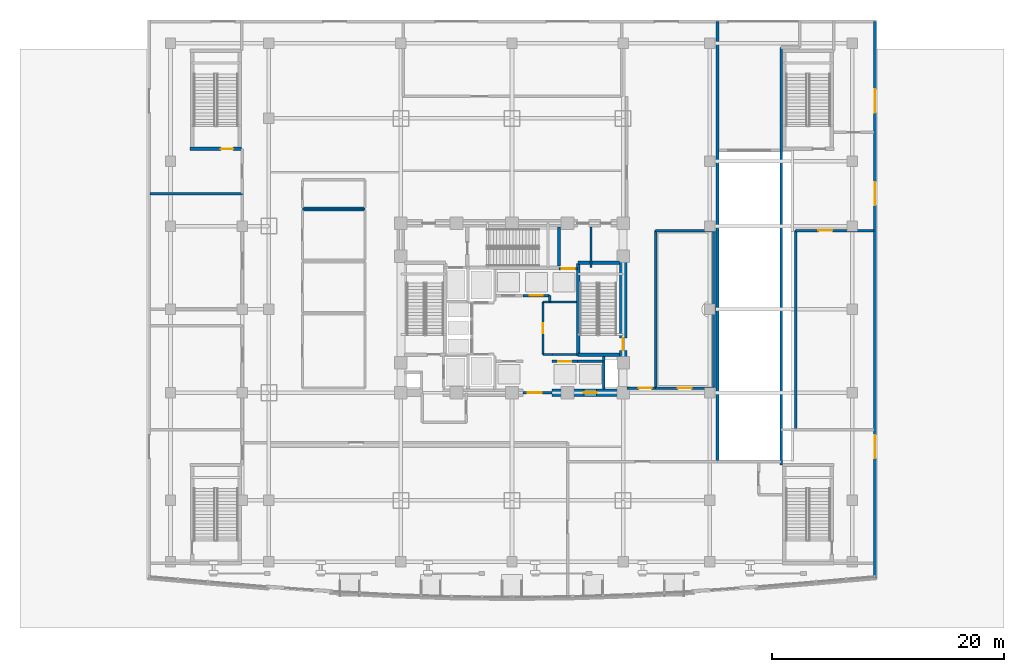
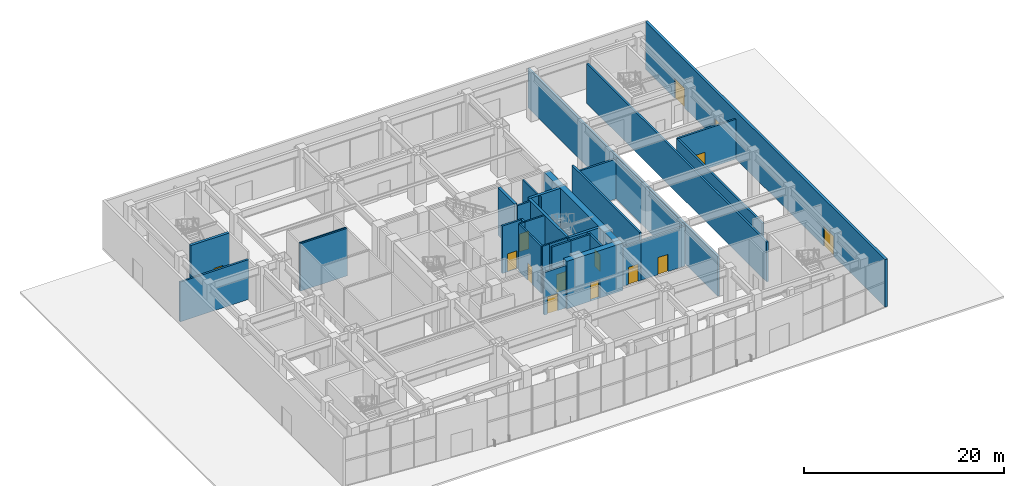
# One storey, part 14 of 23: 33 walls, 14 doors, 14 openings.
"""IFC4 building model written with IfcOpenShell, lengths in metres."""

from ifc_helpers import new_model, si_unit, direction, frame, frame_2d, origin, place, context, subcontext, project, spatial, rectangle, extrude, material, layer, layer_set, type_object, element, fill, save


model = new_model("IFC4")

# Units and contexts
model_context = context("Model", 3, precision=1e-05, world=origin(), true_north=direction((0.0, 1.0)))
body_context = subcontext(model_context, "Body", "Model", "MODEL_VIEW")
ifc_project = project(units=[si_unit("LENGTHUNIT", "METRE"), si_unit("AREAUNIT", "SQUARE_METRE"), si_unit("VOLUMEUNIT", "CUBIC_METRE"), si_unit("PLANEANGLEUNIT", "RADIAN"), si_unit("MASSUNIT", "GRAM", prefix="KILO")], contexts=[model_context])

# Site, building, storey
site_placement = place(None, origin())
site = spatial("IfcSite", under=ifc_project, at=site_placement, CompositionType="ELEMENT")
building_placement = place(site_placement, origin())
building = spatial("IfcBuilding", under=site, at=building_placement, Name="Vantalir Tower", CompositionType="ELEMENT")
storey_placement = place(building_placement, origin())
storey = spatial("IfcBuildingStorey", under=building, at=storey_placement, Name="L00", CompositionType="ELEMENT", Elevation=0.0)

# Wall, opening, door
ifc_material_1 = material(Name="Concrete C60/75", Category="concrete")
ifc_layer_1 = layer(ifc_material_1, 0.64990234375)
ifc_layer_set_1 = layer_set([ifc_layer_1], Name="Concrete C60/75")
wall_type_1 = type_object("IfcWallType", Name="WL-CORE-650", PredefinedType="SHEAR", material=ifc_layer_set_1)
wall_1_placement = place(storey_placement, frame((34.949951171875, 17.800048828125, 0.0), z_axis=(0.0, 0.0, 1.0), x_axis=(1.0, 0.0, 0.0)))
wall_1 = element("IfcWall", 1, at=wall_1_placement, inside=storey, type_object=wall_type_1, Name="L00 Core Shear Wall South-East", PredefinedType="SHEAR", context=body_context, shape_type="SweptSolid", body=[
    extrude(rectangle(XDim=6.47509765625, YDim=0.64990234375, at=frame_2d((3.237548828125, 0.0))), origin(), (0.0, 0.0, 1.0), 5.820068359375),
])
opening_1_placement = place(wall_1_placement, frame((2.760009765625, 0.0, 0.0)))
opening_1 = element("IfcOpeningElement", 2, at=opening_1_placement, cuts=wall_1, Name="Opening LD-PL-X2", PredefinedType="OPENING", context=body_context, shape_type="SweptSolid", body=[
    extrude(rectangle(XDim=1.10009765625, YDim=2.199951171875, at=frame_2d((0.550048828125, 1.10009765625))), frame((0.0, 0.3349609375, 0.0), z_axis=(0.0, -1.0, 0.0), x_axis=(1.0, 0.0, 0.0)), (0.0, 0.0, 1.0), 0.669921875),
])
ifc_material_2 = material(Name="Brushed stainless-steel sliding lift landing door", Category="steel")
door_type_1 = type_object("IfcDoorType", Name="DR-LIFT-LANDING-1100", OperationType="DOUBLE_DOOR_SLIDING", PredefinedType="DOOR", material=ifc_material_2)
door_1_placement = place(opening_1_placement, frame((1.10009765625, 0.0, 0.0), z_axis=(0.0, 0.0, 1.0), x_axis=(-1.0, 0.0, 0.0)))
door_1 = element("IfcDoor", 3, at=door_1_placement, inside=storey, type_object=door_type_1, Name="L00 Express Shuttle Lift Landing Door PL-X2", OperationType="DOUBLE_DOOR_SLIDING", OverallHeight=2.199951171875, OverallWidth=1.10009765625, PredefinedType="DOOR", context=body_context, shape_type="SweptSolid", body=[
    extrude(rectangle(XDim=1.10009765625, YDim=2.199951171875, at=frame_2d((0.550048828125, 1.10009765625))), frame((0.0, 0.02490234375, 0.0), z_axis=(0.0, -1.0, 0.0), x_axis=(1.0, 0.0, 0.0)), (0.0, 0.0, 1.0), 0.050048828125),
])
fill(opening_1, door_1)

wall_2_placement = place(storey_placement, frame((41.10009765625, 18.125, 0.0), z_axis=(0.0, 0.0, 1.0), x_axis=(0.0, 1.0, 0.0)))
wall_2 = element("IfcWall", 4, at=wall_2_placement, inside=storey, type_object=wall_type_1, Name="L00 Core Shear Wall East", PredefinedType="SHEAR", context=body_context, shape_type="SweptSolid", body=[
    extrude(rectangle(XDim=14.0, YDim=0.64990234375, at=frame_2d((7.0, 0.0))), origin(), (0.0, 0.0, 1.0), 5.820068359375),
])
opening_2_placement = place(wall_2_placement, frame((3.3349609375, 0.0, 0.0)))
opening_2 = element("IfcOpeningElement", 5, at=opening_2_placement, cuts=wall_2, Name="Opening D-ST", PredefinedType="OPENING", context=body_context, shape_type="SweptSolid", body=[
    extrude(rectangle(XDim=1.050048828125, YDim=2.10009765625, at=frame_2d((0.52490234375, 1.050048828125))), frame((0.0, 0.3349609375, 0.0), z_axis=(0.0, -1.0, 0.0), x_axis=(1.0, 0.0, 0.0)), (0.0, 0.0, 1.0), 0.669921875),
])
ifc_material_3 = material(Name="Fire-rated steel door leaf", Category="steel")
door_type_2 = type_object("IfcDoorType", Name="DR-FIRE-STAIR-1050", OperationType="NOTDEFINED", PredefinedType="DOOR", material=ifc_material_3)
door_2_placement = place(opening_2_placement, frame((1.050048828125, 0.0, 0.0), z_axis=(0.0, 0.0, 1.0), x_axis=(-1.0, 0.0, 0.0)))
door_2 = element("IfcDoor", 6, at=door_2_placement, inside=storey, type_object=door_type_2, Name="L00 Exit Stair ST2 Fire Door", OperationType="SINGLE_SWING_RIGHT", OverallHeight=2.10009765625, OverallWidth=1.050048828125, PredefinedType="DOOR", context=body_context, shape_type="SweptSolid", body=[
    extrude(rectangle(XDim=1.050048828125, YDim=2.10009765625, at=frame_2d((0.52490234375, 1.050048828125))), frame((0.0, 0.02490234375, 0.0), z_axis=(0.0, -1.0, 0.0), x_axis=(1.0, 0.0, 0.0)), (0.0, 0.0, 1.0), 0.050048828125),
])
fill(opening_2, door_2)

# Wall, openings, doors
ifc_material_4 = material(Name="Precast concrete C40/50 with insulated PVDF rainscreen", Category="concrete")
ifc_layer_2 = layer(ifc_material_4, 0.280029296875)
ifc_layer_set_2 = layer_set([ifc_layer_2], Name="Precast concrete C40/50 with insulated PVDF rainscreen")
wall_type_2 = type_object("IfcWallType", Name="WL-EXT-POD-280", PredefinedType="SOLIDWALL", material=ifc_layer_set_2)
wall_3_placement = place(storey_placement, frame((62.860107421875, 1.800048828125, 0.0), z_axis=(0.0, 0.0, 1.0), x_axis=(0.0, 1.0, 0.0)))
wall_3 = element("IfcWall", 7, at=wall_3_placement, inside=storey, type_object=wall_type_2, Name="L00 Podium East Precast Facade Wall", PredefinedType="SOLIDWALL", context=body_context, shape_type="SweptSolid", body=[
    extrude(rectangle(XDim=48.06005859375, YDim=0.280029296875, at=frame_2d((24.030029296875, 0.0))), origin(), (0.0, 0.0, 1.0), 5.820068359375),
])
opening_3_placement = place(wall_3_placement, frame((10.35009765625, 0.0, 0.0)))
opening_3 = element("IfcOpeningElement", 8, at=opening_3_placement, cuts=wall_3, Name="Opening D-EX01", PredefinedType="OPENING", context=body_context, shape_type="SweptSolid", body=[
    extrude(rectangle(XDim=2.0, YDim=2.39990234375, at=frame_2d((1.0, 1.199951171875))), frame((0.0, 0.14990234375, 0.0), z_axis=(0.0, -1.0, 0.0), x_axis=(1.0, 0.0, 0.0)), (0.0, 0.0, 1.0), 0.300048828125),
])
opening_4_placement = place(wall_3_placement, frame((32.199951171875, 0.0, 0.0)))
opening_4 = element("IfcOpeningElement", 9, at=opening_4_placement, cuts=wall_3, Name="Opening D-EX02", PredefinedType="OPENING", context=body_context, shape_type="SweptSolid", body=[
    extrude(rectangle(XDim=2.0, YDim=2.39990234375, at=frame_2d((1.0, 1.199951171875))), frame((0.0, 0.14990234375, 0.0), z_axis=(0.0, -1.0, 0.0), x_axis=(1.0, 0.0, 0.0)), (0.0, 0.0, 1.0), 0.300048828125),
])
opening_5_placement = place(wall_3_placement, frame((40.199951171875, 0.0, 0.0)))
opening_5 = element("IfcOpeningElement", 10, at=opening_5_placement, cuts=wall_3, Name="Opening D-EX06", PredefinedType="OPENING", context=body_context, shape_type="SweptSolid", body=[
    extrude(rectangle(XDim=2.0, YDim=2.39990234375, at=frame_2d((1.0, 1.199951171875))), frame((0.0, 0.14990234375, 0.0), z_axis=(0.0, -1.0, 0.0), x_axis=(1.0, 0.0, 0.0)), (0.0, 0.0, 1.0), 0.300048828125),
])
ifc_material_5 = material(Name="Anodised aluminium and laminated safety glass", Category="aluminium")
door_type_3 = type_object("IfcDoorType", Name="DR-PERIM-OUT-2000", OperationType="DOUBLE_DOOR_SINGLE_SWING", PredefinedType="DOOR", material=ifc_material_5)
door_3_placement = place(opening_3_placement, frame((2.0, 0.0, 0.0), z_axis=(0.0, 0.0, 1.0), x_axis=(-1.0, 0.0, 0.0)))
door_3 = element("IfcDoor", 11, at=door_3_placement, inside=storey, type_object=door_type_3, Name="Ground Final Exit Door D-EX01", OperationType="DOUBLE_DOOR_SINGLE_SWING", OverallHeight=2.39990234375, OverallWidth=2.0, PredefinedType="DOOR", context=body_context, shape_type="SweptSolid", body=[
    extrude(rectangle(XDim=2.0, YDim=2.39990234375, at=frame_2d((1.0, 1.199951171875))), frame((0.0, 0.02490234375, 0.0), z_axis=(0.0, -1.0, 0.0), x_axis=(1.0, 0.0, 0.0)), (0.0, 0.0, 1.0), 0.050048828125),
])
fill(opening_3, door_3)
door_4_placement = place(opening_4_placement, frame((2.0, 0.0, 0.0), z_axis=(0.0, 0.0, 1.0), x_axis=(-1.0, 0.0, 0.0)))
door_4 = element("IfcDoor", 12, at=door_4_placement, inside=storey, type_object=door_type_3, Name="Ground Final Exit Door D-EX02", OperationType="DOUBLE_DOOR_SINGLE_SWING", OverallHeight=2.39990234375, OverallWidth=2.0, PredefinedType="DOOR", context=body_context, shape_type="SweptSolid", body=[
    extrude(rectangle(XDim=2.0, YDim=2.39990234375, at=frame_2d((1.0, 1.199951171875))), frame((0.0, 0.02490234375, 0.0), z_axis=(0.0, -1.0, 0.0), x_axis=(1.0, 0.0, 0.0)), (0.0, 0.0, 1.0), 0.050048828125),
])
fill(opening_4, door_4)
door_5_placement = place(opening_5_placement, frame((2.0, 0.0, 0.0), z_axis=(0.0, 0.0, 1.0), x_axis=(-1.0, 0.0, 0.0)))
door_5 = element("IfcDoor", 13, at=door_5_placement, inside=storey, type_object=door_type_3, Name="Ground Final Exit Door D-EX06", OperationType="DOUBLE_DOOR_SINGLE_SWING", OverallHeight=2.39990234375, OverallWidth=2.0, PredefinedType="DOOR", context=body_context, shape_type="SweptSolid", body=[
    extrude(rectangle(XDim=2.0, YDim=2.39990234375, at=frame_2d((1.0, 1.199951171875))), frame((0.0, 0.02490234375, 0.0), z_axis=(0.0, -1.0, 0.0), x_axis=(1.0, 0.0, 0.0)), (0.0, 0.0, 1.0), 0.050048828125),
])
fill(opening_5, door_5)

# Wall, opening, door
ifc_material_6 = material(Name="Concrete blockwork with fireboard lining", Category="masonry")
ifc_layer_3 = layer(ifc_material_6, 0.219970703125)
ifc_layer_set_3 = layer_set([ifc_layer_3], Name="Concrete blockwork with fireboard lining")
wall_type_3 = type_object("IfcWallType", Name="WL-FFL-220", PredefinedType="PARTITIONING", material=ifc_layer_set_3)
wall_4_placement = place(storey_placement, frame((32.449951171875, 17.800048828125, 0.0), z_axis=(0.0, 0.0, 1.0), x_axis=(1.0, 0.0, 0.0)))
wall_4 = element("IfcWall", 14, at=wall_4_placement, inside=storey, type_object=wall_type_3, Name="L00 Passenger Lift Lobby South Wall", PredefinedType="PARTITIONING", context=body_context, shape_type="SweptSolid", body=[
    extrude(rectangle(XDim=2.5, YDim=0.219970703125, at=frame_2d((1.25, 0.0))), origin(), (0.0, 0.0, 1.0), 5.177978515625),
])
opening_6_placement = place(wall_4_placement, frame((0.39990234375, 0.0, 0.0)))
opening_6 = element("IfcOpeningElement", 15, at=opening_6_placement, cuts=wall_4, Name="Opening D-STE", PredefinedType="OPENING", context=body_context, shape_type="SweptSolid", body=[
    extrude(rectangle(XDim=1.199951171875, YDim=2.10009765625, at=frame_2d((0.60009765625, 1.050048828125))), frame((0.0, 0.119873046875, 0.0), z_axis=(0.0, -1.0, 0.0), x_axis=(1.0, 0.0, 0.0)), (0.0, 0.0, 1.0), 0.239990234375),
])
ifc_material_7 = material(Name="Solid-core teak veneer suite entrance door", Category="wood")
door_type_4 = type_object("IfcDoorType", Name="DR-SUITE-ENTRY-1200", OperationType="NOTDEFINED", PredefinedType="DOOR", material=ifc_material_7)
door_6_placement = place(opening_6_placement, frame((1.199951171875, 0.0, 0.0), z_axis=(0.0, 0.0, 1.0), x_axis=(-1.0, 0.0, 0.0)))
door_6 = element("IfcDoor", 16, at=door_6_placement, inside=storey, type_object=door_type_4, Name="L00 Passenger Lift Lobby Concourse Door", OperationType="SINGLE_SWING_LEFT", OverallHeight=2.10009765625, OverallWidth=1.199951171875, PredefinedType="DOOR", context=body_context, shape_type="SweptSolid", body=[
    extrude(rectangle(XDim=1.199951171875, YDim=2.10009765625, at=frame_2d((0.60009765625, 1.050048828125))), frame((0.0, 0.02490234375, 0.0), z_axis=(0.0, -1.0, 0.0), x_axis=(1.0, 0.0, 0.0)), (0.0, 0.0, 1.0), 0.050048828125),
])
fill(opening_6, door_6)

# Walls
wall_5_placement = place(storey_placement, frame((39.419921875, 18.125, 0.0), z_axis=(0.0, 0.0, 1.0), x_axis=(0.0, 1.0, 0.0)))
element("IfcWall", 17, at=wall_5_placement, inside=storey, type_object=wall_type_3, Name="L00 East MEP Riser Wall W", PredefinedType="PARTITIONING", context=body_context, shape_type="SweptSolid", body=[
    extrude(rectangle(XDim=2.824951171875, YDim=0.219970703125, at=frame_2d((1.41259765625, 0.0))), origin(), (0.0, 0.0, 1.0), 5.800048828125),
])
wall_6_placement = place(storey_placement, frame((37.139892578125, 20.510009765625, 0.0), z_axis=(0.0, 0.0, 1.0), x_axis=(1.0, 0.0, 0.0)))
element("IfcWall", 18, at=wall_6_placement, inside=storey, type_object=wall_type_3, Name="L00 Lift PL-X2 Shaft Rear Wall", PredefinedType="PARTITIONING", context=body_context, shape_type="SweptSolid", body=[
    extrude(rectangle(XDim=2.239990234375, YDim=0.219970703125, at=frame_2d((1.1201171875, 0.0))), origin(), (0.0, 0.0, 1.0), 5.800048828125),
])

# Wall, opening, door
wall_7_placement = place(storey_placement, frame((34.93994140625, 20.510009765625, 0.0), z_axis=(0.0, 0.0, 1.0), x_axis=(1.0, 0.0, 0.0)))
wall_7 = element("IfcWall", 19, at=wall_7_placement, inside=storey, type_object=wall_type_3, Name="L00 Lift PL-X3 Shaft Front Wall", PredefinedType="PARTITIONING", context=body_context, shape_type="SweptSolid", body=[
    extrude(rectangle(XDim=2.239990234375, YDim=0.219970703125, at=frame_2d((1.1201171875, 0.0))), origin(), (0.0, 0.0, 1.0), 5.800048828125),
])
opening_7_placement = place(wall_7_placement, frame((0.570068359375, 0.0, 0.0)))
opening_7 = element("IfcOpeningElement", 20, at=opening_7_placement, cuts=wall_7, Name="Opening LD-PL-X3", PredefinedType="OPENING", context=body_context, shape_type="SweptSolid", body=[
    extrude(rectangle(XDim=1.10009765625, YDim=2.199951171875, at=frame_2d((0.550048828125, 1.10009765625))), frame((0.0, 0.119873046875, 0.0), z_axis=(0.0, -1.0, 0.0), x_axis=(1.0, 0.0, 0.0)), (0.0, 0.0, 1.0), 0.239990234375),
])
door_7_placement = place(opening_7_placement, origin())
door_7 = element("IfcDoor", 21, at=door_7_placement, inside=storey, type_object=door_type_1, Name="L00 Lift Landing Door PL-X3", OperationType="DOUBLE_DOOR_SLIDING", OverallHeight=2.199951171875, OverallWidth=1.10009765625, PredefinedType="DOOR", context=body_context, shape_type="SweptSolid", body=[
    extrude(rectangle(XDim=1.10009765625, YDim=2.199951171875, at=frame_2d((0.550048828125, 1.10009765625))), frame((0.0, 0.02490234375, 0.0), z_axis=(0.0, -1.0, 0.0), x_axis=(1.0, 0.0, 0.0)), (0.0, 0.0, 1.0), 0.050048828125),
])
fill(opening_7, door_7)

wall_8_placement = place(storey_placement, frame((32.43994140625, 26.18994140625, 0.0), z_axis=(0.0, 0.0, 1.0), x_axis=(1.0, 0.0, 0.0)))
wall_8 = element("IfcWall", 22, at=wall_8_placement, inside=storey, type_object=wall_type_3, Name="L00 Lift PL-H2 Shaft Front Wall", PredefinedType="PARTITIONING", context=body_context, shape_type="SweptSolid", body=[
    extrude(rectangle(XDim=2.320068359375, YDim=0.219970703125, at=frame_2d((1.16015625, 0.0))), origin(), (0.0, 0.0, 1.0), 5.800048828125),
])
opening_8_placement = place(wall_8_placement, frame((0.610107421875, 0.0, 0.0)))
opening_8 = element("IfcOpeningElement", 23, at=opening_8_placement, cuts=wall_8, Name="Opening LD-PL-H2", PredefinedType="OPENING", context=body_context, shape_type="SweptSolid", body=[
    extrude(rectangle(XDim=1.10009765625, YDim=2.199951171875, at=frame_2d((0.550048828125, 1.10009765625))), frame((0.0, 0.119873046875, 0.0), z_axis=(0.0, -1.0, 0.0), x_axis=(1.0, 0.0, 0.0)), (0.0, 0.0, 1.0), 0.239990234375),
])
door_8_placement = place(opening_8_placement, frame((1.10009765625, 0.0, 0.0), z_axis=(0.0, 0.0, 1.0), x_axis=(-1.0, 0.0, 0.0)))
door_8 = element("IfcDoor", 24, at=door_8_placement, inside=storey, type_object=door_type_1, Name="L00 Lift Landing Door PL-H2", OperationType="DOUBLE_DOOR_SLIDING", OverallHeight=2.199951171875, OverallWidth=1.10009765625, PredefinedType="DOOR", context=body_context, shape_type="SweptSolid", body=[
    extrude(rectangle(XDim=1.10009765625, YDim=2.199951171875, at=frame_2d((0.550048828125, 1.10009765625))), frame((0.0, 0.02490234375, 0.0), z_axis=(0.0, -1.0, 0.0), x_axis=(1.0, 0.0, 0.0)), (0.0, 0.0, 1.0), 0.050048828125),
])
fill(opening_8, door_8)

wall_9_placement = place(storey_placement, frame((35.56005859375, 28.510009765625, 0.0), z_axis=(0.0, 0.0, 1.0), x_axis=(1.0, 0.0, 0.0)))
wall_9 = element("IfcWall", 25, at=wall_9_placement, inside=storey, type_object=wall_type_3, Name="L00 Lift PL-H3 Shaft Front Wall", PredefinedType="PARTITIONING", context=body_context, shape_type="SweptSolid", body=[
    extrude(rectangle(XDim=1.599853515625, YDim=0.219970703125, at=frame_2d((0.7998046875, 0.0))), origin(), (0.0, 0.0, 1.0), 5.800048828125),
])
opening_9_placement = place(wall_9_placement, frame((0.25, 0.0, 0.0)))
opening_9 = element("IfcOpeningElement", 26, at=opening_9_placement, cuts=wall_9, Name="Opening LD-PL-H3", PredefinedType="OPENING", context=body_context, shape_type="SweptSolid", body=[
    extrude(rectangle(XDim=1.10009765625, YDim=2.199951171875, at=frame_2d((0.550048828125, 1.10009765625))), frame((0.0, 0.119873046875, 0.0), z_axis=(0.0, -1.0, 0.0), x_axis=(1.0, 0.0, 0.0)), (0.0, 0.0, 1.0), 0.239990234375),
])
door_9_placement = place(opening_9_placement, origin())
door_9 = element("IfcDoor", 27, at=door_9_placement, inside=storey, type_object=door_type_1, Name="L00 Lift Landing Door PL-H3", OperationType="DOUBLE_DOOR_SLIDING", OverallHeight=2.199951171875, OverallWidth=1.10009765625, PredefinedType="DOOR", context=body_context, shape_type="SweptSolid", body=[
    extrude(rectangle(XDim=1.10009765625, YDim=2.199951171875, at=frame_2d((0.550048828125, 1.10009765625))), frame((0.0, 0.02490234375, 0.0), z_axis=(0.0, -1.0, 0.0), x_axis=(1.0, 0.0, 0.0)), (0.0, 0.0, 1.0), 0.050048828125),
])
fill(opening_9, door_9)

# Walls
wall_10_placement = place(storey_placement, frame((34.760009765625, 25.64990234375, 0.0), z_axis=(0.0, 0.0, 1.0), x_axis=(0.0, 1.0, 0.0)))
element("IfcWall", 28, at=wall_10_placement, inside=storey, type_object=wall_type_3, Name="L00 High-Rise Shaft Shoulder Wall", PredefinedType="PARTITIONING", context=body_context, shape_type="SweptSolid", body=[
    extrude(rectangle(XDim=0.570068359375, YDim=0.219970703125, at=frame_2d((0.28515625, 0.0))), origin(), (0.0, 0.0, 1.0), 5.800048828125),
])
wall_11_placement = place(storey_placement, frame((49.25, 11.85009765625, 0.0), z_axis=(0.0, 0.0, 1.0), x_axis=(0.0, 1.0, 0.0)))
element("IfcWall", 29, at=wall_11_placement, inside=storey, type_object=wall_type_3, Name="L00 Car Park Ramp Enclosure West", PredefinedType="PARTITIONING", context=body_context, shape_type="SweptSolid", body=[
    extrude(rectangle(XDim=38.0, YDim=0.219970703125, at=frame_2d((19.0, 0.0))), origin(), (0.0, 0.0, 1.0), 4.867919921875),
])
wall_12_placement = place(storey_placement, frame((54.75, 11.56005859375, 0.0), z_axis=(0.0, 0.0, 1.0), x_axis=(0.0, 1.0, 0.0)))
element("IfcWall", 30, at=wall_12_placement, inside=storey, type_object=wall_type_3, Name="L00 Car Park Ramp Enclosure East", PredefinedType="PARTITIONING", context=body_context, shape_type="SweptSolid", body=[
    extrude(rectangle(XDim=36.06494140625, YDim=0.219970703125, at=frame_2d((18.032470703125, 0.0))), origin(), (0.0, 0.0, 1.0), 4.867919921875),
])
wall_13_placement = place(storey_placement, frame((0.25, 35.0, 0.0), z_axis=(0.0, 0.0, 1.0), x_axis=(1.0, 0.0, 0.0)))
element("IfcWall", 31, at=wall_13_placement, inside=storey, type_object=wall_type_3, Name="L00 Commercial Main Production Kitchen North Wall", PredefinedType="PARTITIONING", context=body_context, shape_type="SweptSolid", body=[
    extrude(rectangle(XDim=7.949951171875, YDim=0.219970703125, at=frame_2d((3.97509765625, 0.0))), origin(), (0.0, 0.0, 1.0), 4.867919921875),
])

# Wall, opening, door
wall_14_placement = place(storey_placement, frame((56.0, 31.800048828125, 0.0), z_axis=(0.0, 0.0, 1.0), x_axis=(1.0, 0.0, 0.0)))
wall_14 = element("IfcWall", 32, at=wall_14_placement, inside=storey, type_object=wall_type_3, Name="L00 Waterfront Brasserie North Wall", PredefinedType="PARTITIONING", context=body_context, shape_type="SweptSolid", body=[
    extrude(rectangle(XDim=6.75, YDim=0.219970703125, at=frame_2d((3.375, 0.0))), origin(), (0.0, 0.0, 1.0), 4.867919921875),
])
opening_10_placement = place(wall_14_placement, frame((1.965087890625, 0.0, 0.0)))
opening_10 = element("IfcOpeningElement", 33, at=opening_10_placement, cuts=wall_14, Name="Opening D-STE", PredefinedType="OPENING", context=body_context, shape_type="SweptSolid", body=[
    extrude(rectangle(XDim=1.199951171875, YDim=2.10009765625, at=frame_2d((0.60009765625, 1.050048828125))), frame((0.0, 0.119873046875, 0.0), z_axis=(0.0, -1.0, 0.0), x_axis=(1.0, 0.0, 0.0)), (0.0, 0.0, 1.0), 0.239990234375),
])
door_10_placement = place(opening_10_placement, frame((1.199951171875, 0.0, 0.0), z_axis=(0.0, 0.0, 1.0), x_axis=(-1.0, 0.0, 0.0)))
door_10 = element("IfcDoor", 34, at=door_10_placement, inside=storey, type_object=door_type_4, Name="L00 Waterfront Brasserie Door", OperationType="SINGLE_SWING_LEFT", OverallHeight=2.10009765625, OverallWidth=1.199951171875, PredefinedType="DOOR", context=body_context, shape_type="SweptSolid", body=[
    extrude(rectangle(XDim=1.199951171875, YDim=2.10009765625, at=frame_2d((0.60009765625, 1.050048828125))), frame((0.0, 0.02490234375, 0.0), z_axis=(0.0, -1.0, 0.0), x_axis=(1.0, 0.0, 0.0)), (0.0, 0.0, 1.0), 0.050048828125),
])
fill(opening_10, door_10)

# Wall
wall_15_placement = place(storey_placement, frame((56.0, 14.60009765625, 0.0), z_axis=(0.0, 0.0, 1.0), x_axis=(0.0, 1.0, 0.0)))
element("IfcWall", 35, at=wall_15_placement, inside=storey, type_object=wall_type_3, Name="L00 Waterfront Brasserie West Wall", PredefinedType="PARTITIONING", context=body_context, shape_type="SweptSolid", body=[
    extrude(rectangle(XDim=17.199951171875, YDim=0.219970703125, at=frame_2d((8.60009765625, 0.0))), origin(), (0.0, 0.0, 1.0), 4.867919921875),
])

# Wall, opening, door
wall_16_placement = place(storey_placement, frame((43.89990234375, 18.199951171875, 0.0), z_axis=(0.0, 0.0, 1.0), x_axis=(1.0, 0.0, 0.0)))
wall_16 = element("IfcWall", 36, at=wall_16_placement, inside=storey, type_object=wall_type_3, Name="L00 Riverfront Tea Salon South Wall", PredefinedType="PARTITIONING", context=body_context, shape_type="SweptSolid", body=[
    extrude(rectangle(XDim=5.050048828125, YDim=0.219970703125, at=frame_2d((2.52490234375, 0.0))), origin(), (0.0, 0.0, 1.0), 4.867919921875),
])
opening_11_placement = place(wall_16_placement, frame((1.925048828125, 0.0, 0.0)))
opening_11 = element("IfcOpeningElement", 37, at=opening_11_placement, cuts=wall_16, Name="Opening D-STE", PredefinedType="OPENING", context=body_context, shape_type="SweptSolid", body=[
    extrude(rectangle(XDim=1.199951171875, YDim=2.10009765625, at=frame_2d((0.60009765625, 1.050048828125))), frame((0.0, 0.119873046875, 0.0), z_axis=(0.0, -1.0, 0.0), x_axis=(1.0, 0.0, 0.0)), (0.0, 0.0, 1.0), 0.239990234375),
])
door_11_placement = place(opening_11_placement, origin())
door_11 = element("IfcDoor", 38, at=door_11_placement, inside=storey, type_object=door_type_4, Name="L00 Riverfront Tea Salon Door", OperationType="SINGLE_SWING_RIGHT", OverallHeight=2.10009765625, OverallWidth=1.199951171875, PredefinedType="DOOR", context=body_context, shape_type="SweptSolid", body=[
    extrude(rectangle(XDim=1.199951171875, YDim=2.10009765625, at=frame_2d((0.60009765625, 1.050048828125))), frame((0.0, 0.02490234375, 0.0), z_axis=(0.0, -1.0, 0.0), x_axis=(1.0, 0.0, 0.0)), (0.0, 0.0, 1.0), 0.050048828125),
])
fill(opening_11, door_11)

# Walls
wall_17_placement = place(storey_placement, frame((43.89990234375, 31.800048828125, 0.0), z_axis=(0.0, 0.0, 1.0), x_axis=(1.0, 0.0, 0.0)))
element("IfcWall", 39, at=wall_17_placement, inside=storey, type_object=wall_type_3, Name="L00 Riverfront Tea Salon North Wall", PredefinedType="PARTITIONING", context=body_context, shape_type="SweptSolid", body=[
    extrude(rectangle(XDim=5.050048828125, YDim=0.219970703125, at=frame_2d((2.52490234375, 0.0))), origin(), (0.0, 0.0, 1.0), 4.867919921875),
])
wall_18_placement = place(storey_placement, frame((43.89990234375, 18.199951171875, 0.0), z_axis=(0.0, 0.0, 1.0), x_axis=(0.0, 1.0, 0.0)))
element("IfcWall", 40, at=wall_18_placement, inside=storey, type_object=wall_type_3, Name="L00 Riverfront Tea Salon West Wall", PredefinedType="PARTITIONING", context=body_context, shape_type="SweptSolid", body=[
    extrude(rectangle(XDim=13.60009765625, YDim=0.219970703125, at=frame_2d((6.800048828125, 0.0))), origin(), (0.0, 0.0, 1.0), 5.800048828125),
])
wall_19_placement = place(storey_placement, frame((48.949951171875, 18.199951171875, 0.0), z_axis=(0.0, 0.0, 1.0), x_axis=(0.0, 1.0, 0.0)))
element("IfcWall", 41, at=wall_19_placement, inside=storey, type_object=wall_type_3, Name="L00 Riverfront Tea Salon East Wall", PredefinedType="PARTITIONING", context=body_context, shape_type="SweptSolid", body=[
    extrude(rectangle(XDim=13.60009765625, YDim=0.219970703125, at=frame_2d((6.800048828125, 0.0))), origin(), (0.0, 0.0, 1.0), 4.867919921875),
])

# Wall, opening, door
wall_20_placement = place(storey_placement, frame((41.425048828125, 18.199951171875, 0.0), z_axis=(0.0, 0.0, 1.0), x_axis=(1.0, 0.0, 0.0)))
wall_20 = element("IfcWall", 42, at=wall_20_placement, inside=storey, type_object=wall_type_3, Name="L00 East Exit Passage South Wall", PredefinedType="PARTITIONING", context=body_context, shape_type="SweptSolid", body=[
    extrude(rectangle(XDim=2.474853515625, YDim=0.219970703125, at=frame_2d((1.2373046875, 0.0))), origin(), (0.0, 0.0, 1.0), 4.844970703125),
])
opening_12_placement = place(wall_20_placement, frame((1.033935546875, 0.0, 0.0)))
opening_12 = element("IfcOpeningElement", 43, at=opening_12_placement, cuts=wall_20, Name="Opening D-FFL", PredefinedType="OPENING", context=body_context, shape_type="SweptSolid", body=[
    extrude(rectangle(XDim=1.10009765625, YDim=2.10009765625, at=frame_2d((0.550048828125, 1.050048828125))), frame((0.0, 0.119873046875, 0.0), z_axis=(0.0, -1.0, 0.0), x_axis=(1.0, 0.0, 0.0)), (0.0, 0.0, 1.0), 0.239990234375),
])
ifc_material_8 = material(Name="Fire-rated acoustic steel door", Category="steel")
door_type_5 = type_object("IfcDoorType", Name="DR-FIRE-LOBBY-1100", OperationType="NOTDEFINED", PredefinedType="DOOR", material=ifc_material_8)
door_12_placement = place(opening_12_placement, origin())
door_12 = element("IfcDoor", 44, at=door_12_placement, inside=storey, type_object=door_type_5, Name="L00 East Exit Passage South Fire Door", OperationType="SINGLE_SWING_RIGHT", OverallHeight=2.10009765625, OverallWidth=1.10009765625, PredefinedType="DOOR", context=body_context, shape_type="SweptSolid", body=[
    extrude(rectangle(XDim=1.10009765625, YDim=2.10009765625, at=frame_2d((0.550048828125, 1.050048828125))), frame((0.0, 0.02490234375, 0.0), z_axis=(0.0, -1.0, 0.0), x_axis=(1.0, 0.0, 0.0)), (0.0, 0.0, 1.0), 0.050048828125),
])
fill(opening_12, door_12)

# Walls
ifc_material_9 = material(Name="Twin-stud acoustic fire-rated gypsum partition", Category="gypsum")
ifc_layer_4 = layer(ifc_material_9, 0.179931640625)
ifc_layer_set_4 = layer_set([ifc_layer_4], Name="Twin-stud acoustic fire-rated gypsum partition")
wall_type_4 = type_object("IfcWallType", Name="WL-GUEST-180", PredefinedType="PARTITIONING", material=ifc_layer_set_4)
wall_21_placement = place(storey_placement, frame((34.97998046875, 21.10009765625, 0.0), z_axis=(0.0, 0.0, 1.0), x_axis=(1.0, 0.0, 0.0)))
element("IfcWall", 45, at=wall_21_placement, inside=storey, type_object=wall_type_4, Name="L00 Freed East Core South Wall", PredefinedType="PARTITIONING", context=body_context, shape_type="SweptSolid", body=[
    extrude(rectangle(XDim=2.080078125, YDim=0.179931640625, at=frame_2d((1.0400390625, 0.0))), origin(), (0.0, 0.0, 1.0), 5.800048828125),
])
wall_22_placement = place(storey_placement, frame((34.719970703125, 25.64990234375, 0.0), z_axis=(0.0, 0.0, 1.0), x_axis=(1.0, 0.0, 0.0)))
element("IfcWall", 46, at=wall_22_placement, inside=storey, type_object=wall_type_4, Name="L00 Freed East Core North Wall", PredefinedType="PARTITIONING", context=body_context, shape_type="SweptSolid", body=[
    extrude(rectangle(XDim=2.340087890625, YDim=0.179931640625, at=frame_2d((1.169921875, 0.0))), origin(), (0.0, 0.0, 1.0), 5.800048828125),
])
wall_23_placement = place(storey_placement, frame((34.159912109375, 21.10009765625, 0.0), z_axis=(0.0, 0.0, 1.0), x_axis=(1.0, 0.0, 0.0)))
element("IfcWall", 47, at=wall_23_placement, inside=storey, type_object=wall_type_4, Name="L00 East IT Room South Return", PredefinedType="PARTITIONING", context=body_context, shape_type="SweptSolid", body=[
    extrude(rectangle(XDim=0.820068359375, YDim=0.179931640625, at=frame_2d((0.41015625, 0.0))), origin(), (0.0, 0.0, 1.0), 5.800048828125),
])
wall_24_placement = place(storey_placement, frame((34.159912109375, 25.64990234375, 0.0), z_axis=(0.0, 0.0, 1.0), x_axis=(1.0, 0.0, 0.0)))
element("IfcWall", 48, at=wall_24_placement, inside=storey, type_object=wall_type_4, Name="L00 East IT Room North Return", PredefinedType="PARTITIONING", context=body_context, shape_type="SweptSolid", body=[
    extrude(rectangle(XDim=0.60009765625, YDim=0.179931640625, at=frame_2d((0.300048828125, 0.0))), origin(), (0.0, 0.0, 1.0), 5.800048828125),
])

# Wall, opening, door
wall_25_placement = place(storey_placement, frame((34.159912109375, 21.10009765625, 0.0), z_axis=(0.0, 0.0, 1.0), x_axis=(0.0, 1.0, 0.0)))
wall_25 = element("IfcWall", 49, at=wall_25_placement, inside=storey, type_object=wall_type_4, Name="L00 East IT Room West Wall", PredefinedType="PARTITIONING", context=body_context, shape_type="SweptSolid", body=[
    extrude(rectangle(XDim=4.5498046875, YDim=0.179931640625, at=frame_2d((2.27490234375, 0.0))), origin(), (0.0, 0.0, 1.0), 5.800048828125),
])
opening_13_placement = place(wall_25_placement, frame((1.824951171875, 0.0, 0.0)))
opening_13 = element("IfcOpeningElement", 50, at=opening_13_placement, cuts=wall_25, Name="Opening D-CR", PredefinedType="OPENING", context=body_context, shape_type="SweptSolid", body=[
    extrude(rectangle(XDim=0.89990234375, YDim=2.10009765625, at=frame_2d((0.449951171875, 1.050048828125))), frame((0.0, 0.099853515625, 0.0), z_axis=(0.0, -1.0, 0.0), x_axis=(1.0, 0.0, 0.0)), (0.0, 0.0, 1.0), 0.199951171875),
])
ifc_material_10 = material(Name="Fire-rated steel core service door", Category="steel")
door_type_6 = type_object("IfcDoorType", Name="DR-CORE-SERV-900", OperationType="NOTDEFINED", PredefinedType="DOOR", material=ifc_material_10)
door_13_placement = place(opening_13_placement, frame((0.89990234375, 0.0, 0.0), z_axis=(0.0, 0.0, 1.0), x_axis=(-1.0, 0.0, 0.0)))
door_13 = element("IfcDoor", 51, at=door_13_placement, inside=storey, type_object=door_type_6, Name="L00 Core Data Switchroom Door", OperationType="SINGLE_SWING_RIGHT", OverallHeight=2.10009765625, OverallWidth=0.89990234375, PredefinedType="DOOR", context=body_context, shape_type="SweptSolid", body=[
    extrude(rectangle(XDim=0.89990234375, YDim=2.10009765625, at=frame_2d((0.449951171875, 1.050048828125))), frame((0.0, 0.02490234375, 0.0), z_axis=(0.0, -1.0, 0.0), x_axis=(1.0, 0.0, 0.0)), (0.0, 0.0, 1.0), 0.050048828125),
])
fill(opening_13, door_13)

# Walls
wall_26_placement = place(storey_placement, frame((38.340087890625, 28.6201171875, 0.0), z_axis=(0.0, 0.0, 1.0), x_axis=(0.0, 1.0, 0.0)))
element("IfcWall", 52, at=wall_26_placement, inside=storey, type_object=wall_type_4, Name="L00 High-Rise Lift Lobby East Wall", PredefinedType="PARTITIONING", context=body_context, shape_type="SweptSolid", body=[
    extrude(rectangle(XDim=3.5048828125, YDim=0.179931640625, at=frame_2d((1.75244140625, 0.0))), origin(), (0.0, 0.0, 1.0), 5.800048828125),
])
for number, where, z_axis, x_axis, name in (
    (53, (13.39990234375, 33.60009765625, 0.0), (0.0, 0.0, 1.0), (1.0, 0.0, 0.0), "L00 Public Female WC North Wall"),
    (54, (13.39990234375, 33.75, 0.0), (0.0, 0.0, 1.0), (1.0, 0.0, 0.0), "L00 Accessible WC South Wall"),
):
    element("IfcWall", number, at=place(storey_placement, frame(where, z_axis=z_axis, x_axis=x_axis)), inside=storey, type_object=wall_type_4, Name=name, PredefinedType="PARTITIONING", context=body_context, shape_type="SweptSolid", body=[
        extrude(rectangle(XDim=5.400146484375, YDim=0.179931640625, at=frame_2d((2.7001953125, 0.0))), origin(), (0.0, 0.0, 1.0), 5.800048828125),
    ])
ifc_material_11 = material(Name="Concrete C50/60", Category="concrete")
ifc_layer_5 = layer(ifc_material_11, 0.300048828125)
ifc_layer_set_5 = layer_set([ifc_layer_5], Name="Concrete C50/60")
wall_type_5 = type_object("IfcWallType", Name="WL-STAIR-300", PredefinedType="SHEAR", material=ifc_layer_set_5)
for number, where, z_axis, x_axis, name in (
    (55, (37.2099609375, 21.10009765625, 0.0), (0.0, 0.0, 1.0), (1.0, 0.0, 0.0), "L00 Stair ST2 South Wall"),
    (56, (37.2099609375, 29.02001953125, 0.0), (0.0, 0.0, 1.0), (1.0, 0.0, 0.0), "L00 Stair ST2 North Wall"),
):
    element("IfcWall", number, at=place(storey_placement, frame(where, z_axis=z_axis, x_axis=x_axis)), inside=storey, type_object=wall_type_5, Name=name, PredefinedType="SHEAR", context=body_context, shape_type="SweptSolid", body=[
        extrude(rectangle(XDim=3.56494140625, YDim=0.300048828125, at=frame_2d((1.782470703125, 0.0))), origin(), (0.0, 0.0, 1.0), 5.820068359375),
    ])
wall_27_placement = place(storey_placement, frame((37.2099609375, 20.97998046875, 0.0), z_axis=(0.0, 0.0, 1.0), x_axis=(0.0, 1.0, 0.0)))
element("IfcWall", 57, at=wall_27_placement, inside=storey, type_object=wall_type_5, Name="L00 Stair ST2 West Wall", PredefinedType="SHEAR", context=body_context, shape_type="SweptSolid", body=[
    extrude(rectangle(XDim=7.989990234375, YDim=0.300048828125, at=frame_2d((3.9951171875, 0.0))), origin(), (0.0, 0.0, 1.0), 5.820068359375),
])
wall_28_placement = place(storey_placement, frame((35.56005859375, 28.75, 0.0), z_axis=(0.0, 0.0, 1.0), x_axis=(0.0, 1.0, 0.0)))
element("IfcWall", 58, at=wall_28_placement, inside=storey, type_object=wall_type_5, Name="L00 Stair ST3 East Wall", PredefinedType="SHEAR", context=body_context, shape_type="SweptSolid", body=[
    extrude(rectangle(XDim=3.375, YDim=0.300048828125, at=frame_2d((1.6875, 0.0))), origin(), (0.0, 0.0, 1.0), 5.820068359375),
])

# Wall, opening, door
wall_29_placement = place(storey_placement, frame((3.699951171875, 38.860107421875, 0.0), z_axis=(0.0, 0.0, 1.0), x_axis=(1.0, 0.0, 0.0)))
wall_29 = element("IfcWall", 59, at=wall_29_placement, inside=storey, type_object=wall_type_5, Name="L00 PST1 South Wall", PredefinedType="SHEAR", context=body_context, shape_type="SweptSolid", body=[
    extrude(rectangle(XDim=4.449951171875, YDim=0.300048828125, at=frame_2d((2.22509765625, 0.0))), origin(), (0.0, 0.0, 1.0), 5.820068359375),
])
opening_14_placement = place(wall_29_placement, frame((2.64990234375, 0.0, 0.0)))
opening_14 = element("IfcOpeningElement", 60, at=opening_14_placement, cuts=wall_29, Name="Opening D-ST", PredefinedType="OPENING", context=body_context, shape_type="SweptSolid", body=[
    extrude(rectangle(XDim=1.050048828125, YDim=2.10009765625, at=frame_2d((0.52490234375, 1.050048828125))), frame((0.0, 0.159912109375, 0.0), z_axis=(0.0, -1.0, 0.0), x_axis=(1.0, 0.0, 0.0)), (0.0, 0.0, 1.0), 0.320068359375),
])
door_14_placement = place(opening_14_placement, frame((1.050048828125, 0.0, 0.0), z_axis=(0.0, 0.0, 1.0), x_axis=(-1.0, 0.0, 0.0)))
door_14 = element("IfcDoor", 61, at=door_14_placement, inside=storey, type_object=door_type_2, Name="L00 Podium Stair PST1 Fire Door", OperationType="SINGLE_SWING_RIGHT", OverallHeight=2.10009765625, OverallWidth=1.050048828125, PredefinedType="DOOR", context=body_context, shape_type="SweptSolid", body=[
    extrude(rectangle(XDim=1.050048828125, YDim=2.10009765625, at=frame_2d((0.52490234375, 1.050048828125))), frame((0.0, 0.02490234375, 0.0), z_axis=(0.0, -1.0, 0.0), x_axis=(1.0, 0.0, 0.0)), (0.0, 0.0, 1.0), 0.050048828125),
])
fill(opening_14, door_14)

save(model, "model.ifc")
